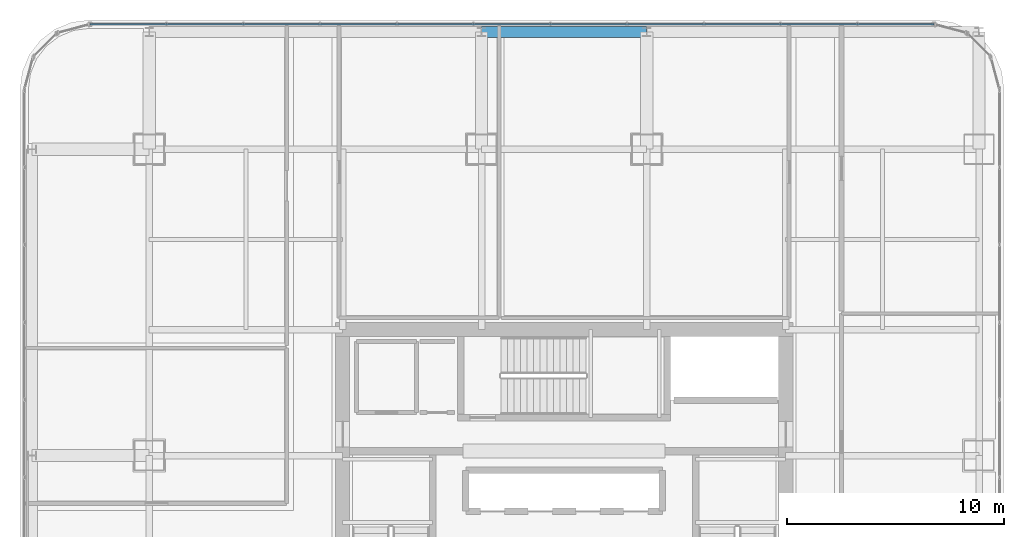
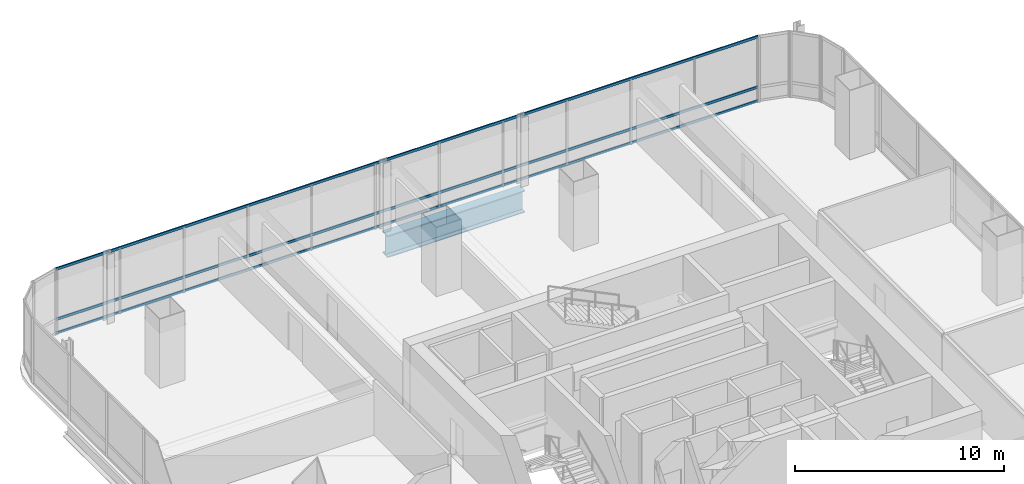
# One storey, part 24 of 38: 3 members, 1 beam, 1 element without a shape of its own.
"""IFC4 building model written with IfcOpenShell, lengths in metres."""

import ifcopenshell
import ifcopenshell.guid

model = None  # the IFC model being written
_history = None  # IfcOwnerHistory: only IFC2X3 demands one
_inside = {}  # id of a spatial element -> (the spatial element, [elements in it])
_under = {}  # id of a project, library or spatial element -> (it, [spatial elements below it])
_declared = {}  # id of a project -> (the project, [libraries it declares])
_typed = {}  # id of a type object -> (the type object, [elements of that type])
_made_of = {}  # id of a material, layer set ... -> (it, [elements and type objects made of it])


def new_model(schema):
    """Start an empty IFC model of exactly this schema.

    Asked for "IFC4X3", IfcOpenShell would pick the latest addendum, in which some entities
    have other attributes; the version numbers below select the first issue.
    IFC2X3 requires an IfcOwnerHistory on every rooted entity: one is made here for all.
    """
    global model, _history
    if schema == "IFC4X3":
        model = ifcopenshell.file(schema_version=(4, 3, 0, 0))
    else:
        model = ifcopenshell.file(schema=schema)
    _inside.clear()
    _under.clear()
    _declared.clear()
    _typed.clear()
    _made_of.clear()
    _history = None
    if model.schema == "IFC2X3":
        org = make("IfcOrganization", Name="unknown")
        user = make(
            "IfcPersonAndOrganization",
            ThePerson=make("IfcPerson", FamilyName="unknown"),
            TheOrganization=org,
        )
        app = make(
            "IfcApplication",
            ApplicationDeveloper=org,
            Version="unknown",
            ApplicationFullName="unknown",
            ApplicationIdentifier="unknown",
        )
        _history = make(
            "IfcOwnerHistory",
            OwningUser=user,
            OwningApplication=app,
            ChangeAction="ADDED",
            CreationDate=0,
        )
    return model


def make(cls, **values):
    """One entity of the class cls with the attributes given. An attribute that is None is left unset."""
    return model.create_entity(
        cls, **{name: value for name, value in values.items() if value is not None}
    )


def rooted(cls, **values):
    """An entity with a GlobalId (a new one), such as an element, a storey or a relation."""
    return make(cls, GlobalId=ifcopenshell.guid.new(), OwnerHistory=_history, **values)


def si_unit(unit_type, name, prefix=None):
    """IfcSIUnit, for example si_unit("LENGTHUNIT", "METRE", prefix="MILLI")."""
    return make("IfcSIUnit", UnitType=unit_type, Prefix=prefix, Name=name)


def assignment(units):
    """IfcUnitAssignment: the units of a project."""
    return None if units is None else make("IfcUnitAssignment", Units=units)


def point(xyz):
    """IfcCartesianPoint."""
    return None if xyz is None else make("IfcCartesianPoint", Coordinates=xyz)


def direction(xyz):
    """IfcDirection."""
    return None if xyz is None else make("IfcDirection", DirectionRatios=xyz)


def frame(location, z_axis=None, x_axis=None):
    """IfcAxis2Placement3D, a coordinate frame: its origin and axes. An axis left out is left unset."""
    return make(
        "IfcAxis2Placement3D",
        Location=point(location),
        Axis=direction(z_axis),
        RefDirection=direction(x_axis),
    )


def frame_2d(location, x_axis=None):
    """IfcAxis2Placement2D, a coordinate frame in the plane: its origin and x axis."""
    return make(
        "IfcAxis2Placement2D", Location=point(location), RefDirection=direction(x_axis)
    )


def origin():
    """The frame at (0, 0, 0) with its axes left unset."""
    return frame((0.0, 0.0, 0.0))


def origin_2d():
    """The frame at (0, 0) in the plane with its x axis left unset."""
    return frame_2d((0.0, 0.0))


def place(relative_to, where):
    """IfcLocalPlacement: puts the frame where relative to a parent placement (None: the world)."""
    return make(
        "IfcLocalPlacement", PlacementRelTo=relative_to, RelativePlacement=where
    )


def context(
    kind, dimensions, precision=None, world=None, true_north=None, identifier=None
):
    """IfcGeometricRepresentationContext, for example the 3D "Model" context."""
    return make(
        "IfcGeometricRepresentationContext",
        ContextIdentifier=identifier,
        ContextType=kind,
        CoordinateSpaceDimension=dimensions,
        Precision=precision,
        WorldCoordinateSystem=world,
        TrueNorth=true_north,
    )


def subcontext(parent, identifier, kind, view, scale=None):
    """IfcGeometricRepresentationSubContext, for example "Body" below "Model"."""
    return make(
        "IfcGeometricRepresentationSubContext",
        ContextIdentifier=identifier,
        ContextType=kind,
        ParentContext=parent,
        TargetScale=scale,
        TargetView=view,
    )


def project(units=None, contexts=None):
    """IfcProject with its units and contexts."""
    return rooted(
        "IfcProject",
        Name="project",
        RepresentationContexts=contexts,
        UnitsInContext=assignment(units),
    )


def spatial(cls, under=None, at=None, **own):
    """A site, building, storey or space (cls), placed at a placement, below another one or the project."""
    s = rooted(cls, ObjectPlacement=at, **own)
    if under is not None:
        _under.setdefault(under.id(), (under, []))[1].append(s)
    return s


def profile(cls, at=None, kind="AREA", **sizes):
    """A parametric profile (cls). Its sizes go by their IFC names, for example OverallWidth=200.0."""
    return make(cls, ProfileType=kind, Position=at, **sizes)


def hollow_rectangle(**sizes):
    """IfcRectangleHollowProfileDef."""
    return profile("IfcRectangleHollowProfileDef", **sizes)


def i_section(**sizes):
    """IfcIShapeProfileDef."""
    return profile("IfcIShapeProfileDef", **sizes)


def extrude(swept, where, along, depth):
    """IfcExtrudedAreaSolid: the profile swept, set in the frame where, extruded along a direction by depth."""
    return make(
        "IfcExtrudedAreaSolid",
        SweptArea=swept,
        Position=where,
        ExtrudedDirection=direction(along),
        Depth=depth,
    )


def shape(context_of_items, identifier, shape_type, items):
    """IfcShapeRepresentation: the items that make up one representation, for example the "Body"."""
    return make(
        "IfcShapeRepresentation",
        ContextOfItems=context_of_items,
        RepresentationIdentifier=identifier,
        RepresentationType=shape_type,
        Items=items,
    )


def material(Name=None, Category=None):
    """IfcMaterial."""
    return make("IfcMaterial", Name=Name, Category=Category)


def material_profile(
    of_material, cross_section, Name=None, Category=None, Priority=None
):
    """IfcMaterialProfile: a cross section and its material."""
    return make(
        "IfcMaterialProfile",
        Name=Name,
        Material=of_material,
        Profile=cross_section,
        Priority=Priority,
        Category=Category,
    )


def profile_set(profiles, Name=None, composite=None):
    """IfcMaterialProfileSet."""
    return make(
        "IfcMaterialProfileSet",
        Name=Name,
        MaterialProfiles=profiles,
        CompositeProfile=composite,
    )


def made_of(thing, what):
    """Note that an element or type object is made of a material, layer set ...; save() writes the relation."""
    if what is not None:
        _made_of.setdefault(what.id(), (what, []))[1].append(thing)
    return thing


def type_object(cls, material=None, **own):
    """A type object (cls), such as IfcWallType, which elements share."""
    return made_of(rooted(cls, **own), material)


def element(
    cls,
    number,
    at=None,
    inside=None,
    cuts=None,
    type_object=None,
    material=None,
    context=None,
    identifier="Body",
    shape_type=None,
    held_by="IfcProductDefinitionShape",
    body=None,
    shapes=None,
    **own,
):
    """One element of the class cls, such as IfcWall. Its Tag is "e" and its number.

    at: its placement. inside: the storey or other place that contains it. cuts: it is an
    opening in that element (IfcRelVoidsElement). A single representation is given by context,
    identifier, shape_type and body (its items); several are given by shapes. held_by: the class
    of the entity that holds the representations. save() writes the other relations.
    """
    e = rooted(cls, Tag="e%d" % number, ObjectPlacement=at, **own)
    if body is not None:
        shapes = [shape(context, identifier, shape_type, body)]
    if shapes is not None:
        e.Representation = make(held_by, Representations=shapes)
    if inside is not None:
        _inside.setdefault(inside.id(), (inside, []))[1].append(e)
    if cuts is not None:
        rooted(
            "IfcRelVoidsElement", RelatingBuildingElement=cuts, RelatedOpeningElement=e
        )
    if type_object is not None:
        _typed.setdefault(type_object.id(), (type_object, []))[1].append(e)
    return made_of(e, material)


def aggregate(whole, parts):
    """IfcRelAggregates: a whole, such as a stair, and the parts it consists of."""
    return rooted("IfcRelAggregates", RelatingObject=whole, RelatedObjects=parts)


def save(model, path):
    """Write the relations noted so far, then the file.

    IfcRelAggregates (storeys below a building ...), IfcRelContainedInSpatialStructure (elements
    in a storey), IfcRelDefinesByType, IfcRelAssociatesMaterial and IfcRelDeclares: one each for
    every whole, place, type object, material and project.
    """
    for whole, parts in _under.values():
        aggregate(whole, parts)
    for where, things in _inside.values():
        rooted(
            "IfcRelContainedInSpatialStructure",
            RelatedElements=things,
            RelatingStructure=where,
        )
    for kind, things in _typed.values():
        rooted("IfcRelDefinesByType", RelatedObjects=things, RelatingType=kind)
    for what, things in _made_of.values():
        rooted("IfcRelAssociatesMaterial", RelatedObjects=things, RelatingMaterial=what)
    for by, libraries in _declared.values():
        rooted("IfcRelDeclares", RelatingContext=by, RelatedDefinitions=libraries)
    model.write(path)


model = new_model("IFC4")

# Units and contexts
model_context = context("Model", 3, precision=1e-05, world=origin(), true_north=direction((0.0, 1.0)))
body_context = subcontext(model_context, "Body", "Model", "MODEL_VIEW")
ifc_project = project(units=[si_unit("LENGTHUNIT", "METRE"), si_unit("AREAUNIT", "SQUARE_METRE"), si_unit("VOLUMEUNIT", "CUBIC_METRE"), si_unit("PLANEANGLEUNIT", "RADIAN"), si_unit("MASSUNIT", "GRAM", prefix="KILO")], contexts=[model_context])

# Site, building, storey
site_placement = place(None, origin())
site = spatial("IfcSite", under=ifc_project, at=site_placement, CompositionType="ELEMENT")
building_placement = place(site_placement, origin())
building = spatial("IfcBuilding", under=site, at=building_placement, Name="Punatoya Terracotta Tower", CompositionType="ELEMENT")
storey_placement = place(building_placement, frame((0.0, 0.0, 143.85009765625)))
storey = spatial("IfcBuildingStorey", under=building, at=storey_placement, Name="L33", CompositionType="ELEMENT", Elevation=143.85009765625)

# Beam
ifc_material_1 = material(Name="Steel S460", Category="steel")
ifc_material_profile_1 = material_profile(ifc_material_1, i_section(OverallWidth=0.52001953125, OverallDepth=1.280029296875, WebThickness=0.031982421875, FlangeThickness=0.050048828125, FilletRadius=0.01806640625, at=origin_2d()))
ifc_profile_set_1 = profile_set([ifc_material_profile_1], Name="Steel S460")
beam_type = type_object("IfcBeamType", Name="BM-TG-NCK", PredefinedType="BEAM", material=ifc_profile_set_1)
beam_placement = place(storey_placement, frame((-3.800048828125, 22.89990234375, -0.860107421875), z_axis=(1.0, 0.0, 0.0), x_axis=(0.0, 1.0, 0.0)))
element("IfcBeam", 1, at=beam_placement, inside=storey, type_object=beam_type, Name="BM-L33-PER-N2", PredefinedType="BEAM", context=body_context, shape_type="SweptSolid", body=[
    extrude(i_section(OverallWidth=0.52001953125, OverallDepth=1.280029296875, WebThickness=0.031982421875, FlangeThickness=0.050048828125, FilletRadius=0.01806640625, at=origin_2d()), origin(), (0.0, 0.0, 1.0), 7.60009765625),
])

# Curtain wall, members
ifc_material_2 = material(Name="Aluminium 6063-T6 + Double Low-E Glass", Category="aluminium")
curtain_wall_type = type_object("IfcCurtainWallType", Name="CW-M2", PredefinedType="NOTDEFINED", material=ifc_material_2)
curtain_wall_placement = place(storey_placement, origin())
curtain_wall = element("IfcCurtainWall", 2, at=curtain_wall_placement, inside=storey, type_object=curtain_wall_type, Name="L33 Curtain Wall CW-L33-N09-1", PredefinedType="NOTDEFINED")
ifc_material_3 = material(Name="Aluminium 6063-T6", Category="aluminium")
ifc_material_profile_2 = material_profile(ifc_material_3, hollow_rectangle(XDim=0.068115234375, YDim=0.14990234375, WallThickness=0.00390625, at=origin_2d()))
ifc_profile_set_2 = profile_set([ifc_material_profile_2], Name="Aluminium 6063-T6")
member_type = type_object("IfcMemberType", Name="CW-TRN-TYP", PredefinedType="USERDEFINED", material=ifc_profile_set_2)
member_1_placement = place(storey_placement, frame((17.036865234375, 23.25, 0.039794921875), z_axis=(-1.0, 0.0, 0.0), x_axis=(0.0, -1.0, 0.0)))
member_1 = element("IfcMember", 3, at=member_1_placement, type_object=member_type, Name="CW-L33-N09-1 Transom 1", ObjectType="TRANSOM", PredefinedType="USERDEFINED", context=body_context, shape_type="SweptSolid", body=[
    extrude(hollow_rectangle(XDim=0.068115234375, YDim=0.14990234375, WallThickness=0.00390625, at=origin_2d()), origin(), (0.0, 0.0, 1.0), 38.873779296875),
])
member_2_placement = place(storey_placement, frame((17.036865234375, 23.25, 0.849853515625), z_axis=(-1.0, 0.0, 0.0), x_axis=(0.0, -1.0, 0.0)))
member_2 = element("IfcMember", 4, at=member_2_placement, type_object=member_type, Name="CW-L33-N09-1 Transom 2", ObjectType="TRANSOM", PredefinedType="USERDEFINED", context=body_context, shape_type="SweptSolid", body=[
    extrude(hollow_rectangle(XDim=0.068115234375, YDim=0.14990234375, WallThickness=0.00390625, at=origin_2d()), origin(), (0.0, 0.0, 1.0), 38.873779296875),
])
member_3_placement = place(storey_placement, frame((17.036865234375, 23.25, 3.789794921875), z_axis=(-1.0, 0.0, 0.0), x_axis=(0.0, -1.0, 0.0)))
member_3 = element("IfcMember", 5, at=member_3_placement, type_object=member_type, Name="CW-L33-N09-1 Transom 3", ObjectType="TRANSOM", PredefinedType="USERDEFINED", context=body_context, shape_type="SweptSolid", body=[
    extrude(hollow_rectangle(XDim=0.068115234375, YDim=0.14990234375, WallThickness=0.00390625, at=origin_2d()), origin(), (0.0, 0.0, 1.0), 38.873779296875),
])
aggregate(curtain_wall, [member_1, member_2, member_3])

save(model, "model.ifc")
